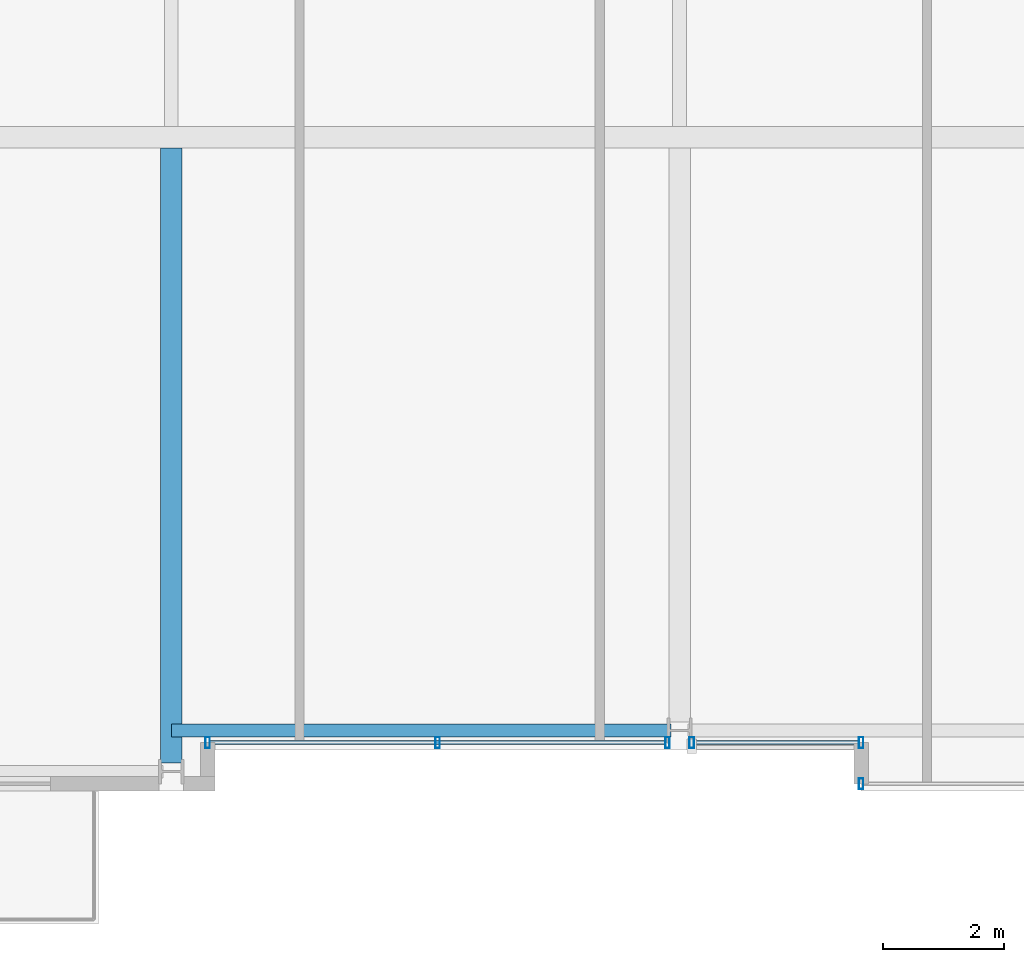
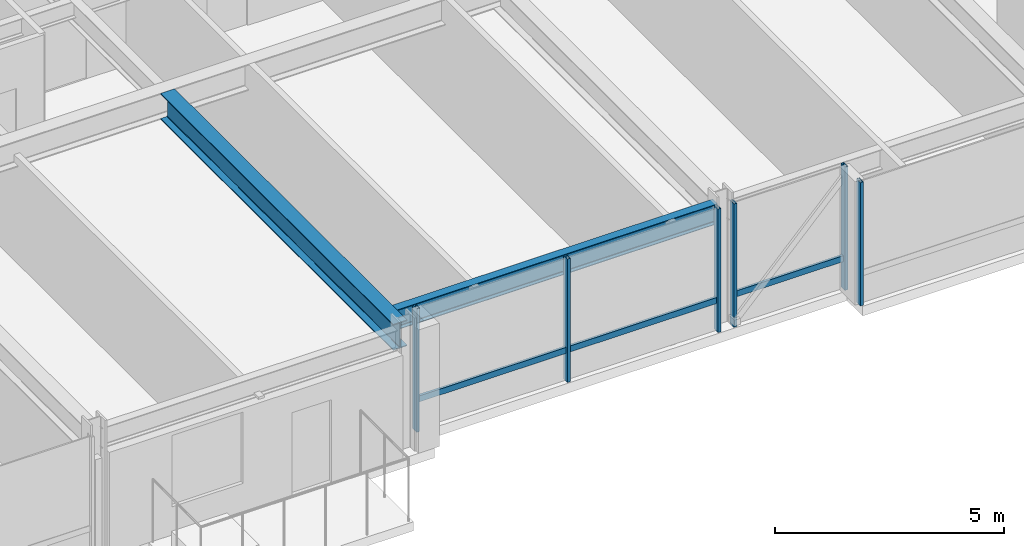
# One storey, part 5 of 33: 8 members, 2 beams, 3 elements without a shape of their own.
"""IFC4 building model written with IfcOpenShell, lengths in metres."""

from ifc_helpers import new_model, si_unit, direction, frame, origin, origin_2d, place, context, subcontext, project, spatial, hollow_rectangle, i_section, extrude, material, layer, layer_set, material_profile, profile_set, type_object, element, aggregate, save


model = new_model("IFC4")

# Units and contexts
model_context = context("Model", 3, precision=1e-05, world=origin(), true_north=direction((0.0, 1.0)))
body_context = subcontext(model_context, "Body", "Model", "MODEL_VIEW")
ifc_project = project(units=[si_unit("LENGTHUNIT", "METRE"), si_unit("AREAUNIT", "SQUARE_METRE"), si_unit("VOLUMEUNIT", "CUBIC_METRE"), si_unit("PLANEANGLEUNIT", "RADIAN"), si_unit("MASSUNIT", "GRAM", prefix="KILO")], contexts=[model_context])

# Site, building, storey
site_placement = place(None, origin())
site = spatial("IfcSite", under=ifc_project, at=site_placement, CompositionType="ELEMENT")
building_placement = place(site_placement, origin())
building = spatial("IfcBuilding", under=site, at=building_placement, Name="Drelvath Grand Hotel", CompositionType="ELEMENT")
storey_placement = place(building_placement, frame((0.0, 0.0, 153.949951171875)))
storey = spatial("IfcBuildingStorey", under=building, at=storey_placement, Name="L39", CompositionType="ELEMENT", Elevation=153.949951171875)

# Curtain wall, member
ifc_material_1 = material(Name="Brushed Pale-Silver Anodised Aluminium Frame", Category="aluminium")
ifc_layer = layer(ifc_material_1, 0.199951171875)
ifc_layer_set = layer_set([ifc_layer], Name="Brushed Pale-Silver Anodised Aluminium Frame")
curtain_wall_type = type_object("IfcCurtainWallType", Name="Stick Curtain Wall CW-04 Brushed Silver Upper-Mid", PredefinedType="NOTDEFINED", material=ifc_layer_set)
curtain_wall_1_placement = place(storey_placement, origin())
curtain_wall_1 = element("IfcCurtainWall", 1, at=curtain_wall_1_placement, inside=storey, type_object=curtain_wall_type, Name="L39 CW-04 Curtain Wall CW04-L39-SM1", PredefinedType="NOTDEFINED")
ifc_material_profile_1 = material_profile(ifc_material_1, hollow_rectangle(XDim=0.06494140625, YDim=0.159912109375, WallThickness=0.00390625, at=origin_2d()), Name="HSS160X65X4")
ifc_profile_set_1 = profile_set([ifc_material_profile_1], Name="Brushed Pale-Silver Anodised Aluminium Frame")
member_type_1 = type_object("IfcMemberType", Name="Curtain Wall Horizontal Transom CW-04 HSS160X65X4", PredefinedType="USERDEFINED", material=ifc_profile_set_1)
member_1_placement = place(storey_placement, frame((-0.239990234375, 0.800048828125, 0.822509765625), z_axis=(-1.0, 0.0, 0.0), x_axis=(0.0, -1.0, 0.0)))
member_1 = element("IfcMember", 2, at=member_1_placement, type_object=member_type_1, Name="CW04-L39-SM1 Sill Transom", ObjectType="TRANSOM", PredefinedType="USERDEFINED", context=body_context, shape_type="SweptSolid", body=[
    extrude(hollow_rectangle(XDim=0.06494140625, YDim=0.159912109375, WallThickness=0.00390625, at=origin_2d()), origin(), (0.0, 0.0, 1.0), 7.52001953125),
])

curtain_wall_2_placement = place(storey_placement, origin())
curtain_wall_2 = element("IfcCurtainWall", 3, at=curtain_wall_2_placement, inside=storey, type_object=curtain_wall_type, Name="L39 CW-04 Curtain Wall CW04-L39-SM2", PredefinedType="NOTDEFINED")
member_2_placement = place(storey_placement, frame((2.9599609375, 0.800048828125, 0.822509765625), z_axis=(-1.0, 0.0, 0.0), x_axis=(0.0, -1.0, 0.0)))
member_2 = element("IfcMember", 4, at=member_2_placement, type_object=member_type_1, Name="CW04-L39-SM2 Sill Transom", ObjectType="TRANSOM", PredefinedType="USERDEFINED", context=body_context, shape_type="SweptSolid", body=[
    extrude(hollow_rectangle(XDim=0.06494140625, YDim=0.159912109375, WallThickness=0.00390625, at=origin_2d()), origin(), (0.0, 0.0, 1.0), 2.719970703125),
])

curtain_wall_3_placement = place(storey_placement, origin())
curtain_wall_3 = element("IfcCurtainWall", 5, at=curtain_wall_3_placement, inside=storey, type_object=curtain_wall_type, Name="L39 CW-04 Curtain Wall CW04-L39-SE1", PredefinedType="NOTDEFINED")
ifc_material_profile_2 = material_profile(ifc_material_1, hollow_rectangle(XDim=0.074951171875, YDim=0.179931640625, WallThickness=0.0048828125, at=origin_2d()), Name="HSS180X75X5")
ifc_profile_set_2 = profile_set([ifc_material_profile_2], Name="Brushed Pale-Silver Anodised Aluminium Frame")
member_type_2 = type_object("IfcMemberType", Name="Curtain Wall Vertical Mullion CW-04 HSS180X75X5", PredefinedType="MULLION", material=ifc_profile_set_2)
member_3_placement = place(storey_placement, frame((3.0, 0.1201171875, 0.0), z_axis=(0.0, 0.0, 1.0), x_axis=(1.0, 0.0, 0.0)))
member_3 = element("IfcMember", 6, at=member_3_placement, type_object=member_type_2, Name="CW04-L39-SE1 Mullion 2", PredefinedType="MULLION", context=body_context, shape_type="SweptSolid", body=[
    extrude(hollow_rectangle(XDim=0.074951171875, YDim=0.179931640625, WallThickness=0.0048828125, at=origin_2d()), origin(), (0.0, 0.0, 1.0), 3.2900390625),
])
aggregate(curtain_wall_3, [member_3])

# Member
member_4_placement = place(storey_placement, frame((-0.2001953125, 0.800048828125, 0.0), z_axis=(0.0, 0.0, 1.0), x_axis=(1.0, 0.0, 0.0)))
member_4 = element("IfcMember", 7, at=member_4_placement, type_object=member_type_2, Name="CW04-L39-SM1 Mullion 1", PredefinedType="MULLION", context=body_context, shape_type="SweptSolid", body=[
    extrude(hollow_rectangle(XDim=0.074951171875, YDim=0.179931640625, WallThickness=0.0048828125, at=origin_2d()), origin(), (0.0, 0.0, 1.0), 3.2900390625),
])

member_5_placement = place(storey_placement, frame((-4.0, 0.800048828125, 0.0), z_axis=(0.0, 0.0, 1.0), x_axis=(1.0, 0.0, 0.0)))
member_5 = element("IfcMember", 8, at=member_5_placement, type_object=member_type_2, Name="CW04-L39-SM1 Mullion 2", PredefinedType="MULLION", context=body_context, shape_type="SweptSolid", body=[
    extrude(hollow_rectangle(XDim=0.074951171875, YDim=0.179931640625, WallThickness=0.0048828125, at=origin_2d()), origin(), (0.0, 0.0, 1.0), 3.2900390625),
])

member_6_placement = place(storey_placement, frame((-7.800048828125, 0.800048828125, 0.0), z_axis=(0.0, 0.0, 1.0), x_axis=(1.0, 0.0, 0.0)))
member_6 = element("IfcMember", 9, at=member_6_placement, type_object=member_type_2, Name="CW04-L39-SM1 Mullion 3", PredefinedType="MULLION", context=body_context, shape_type="SweptSolid", body=[
    extrude(hollow_rectangle(XDim=0.074951171875, YDim=0.179931640625, WallThickness=0.0048828125, at=origin_2d()), origin(), (0.0, 0.0, 1.0), 3.2900390625),
])

aggregate(curtain_wall_1, [member_4, member_5, member_6, member_1])

member_7_placement = place(storey_placement, frame((3.0, 0.800048828125, 0.0), z_axis=(0.0, 0.0, 1.0), x_axis=(1.0, 0.0, 0.0)))
member_7 = element("IfcMember", 10, at=member_7_placement, type_object=member_type_2, Name="CW04-L39-SM2 Mullion 1", PredefinedType="MULLION", context=body_context, shape_type="SweptSolid", body=[
    extrude(hollow_rectangle(XDim=0.074951171875, YDim=0.179931640625, WallThickness=0.0048828125, at=origin_2d()), origin(), (0.0, 0.0, 1.0), 3.2900390625),
])

member_8_placement = place(storey_placement, frame((0.2001953125, 0.800048828125, 0.0), z_axis=(0.0, 0.0, 1.0), x_axis=(1.0, 0.0, 0.0)))
member_8 = element("IfcMember", 11, at=member_8_placement, type_object=member_type_2, Name="CW04-L39-SM2 Mullion 2", PredefinedType="MULLION", context=body_context, shape_type="SweptSolid", body=[
    extrude(hollow_rectangle(XDim=0.074951171875, YDim=0.179931640625, WallThickness=0.0048828125, at=origin_2d()), origin(), (0.0, 0.0, 1.0), 3.2900390625),
])

aggregate(curtain_wall_2, [member_7, member_8, member_2])

# Beams
ifc_material_2 = material(Name="Steel ASTM A992 Gr 50", Category="steel")
ifc_material_profile_3 = material_profile(ifc_material_2, i_section(OverallWidth=0.210205078125, OverallDepth=0.53662109375, WebThickness=0.010986328125, FlangeThickness=0.017333984375, FilletRadius=0.01806640625, at=origin_2d()), Name="W21X68")
ifc_profile_set_3 = profile_set([ifc_material_profile_3], Name="Steel ASTM A992 Gr 50")
beam_type_1 = type_object("IfcBeamType", Name="Perimeter Spandrel Beam W21X68", PredefinedType="SPANDREL", material=ifc_profile_set_3)
beam_1_placement = place(storey_placement, frame((-8.39990234375, 1.0, 3.021728515625), z_axis=(1.0, 0.0, 0.0), x_axis=(0.0, 1.0, 0.0)))
element("IfcBeam", 12, at=beam_1_placement, inside=storey, type_object=beam_type_1, Name="L39 Spandrel South Mid W", PredefinedType="SPANDREL", context=body_context, shape_type="SweptSolid", body=[
    extrude(i_section(OverallWidth=0.210205078125, OverallDepth=0.53662109375, WebThickness=0.010986328125, FlangeThickness=0.017333984375, FilletRadius=0.01806640625, at=origin_2d()), origin(), (0.0, 0.0, 1.0), 8.260009765625),
])
ifc_material_profile_4 = material_profile(ifc_material_2, i_section(OverallWidth=0.354736328125, OverallDepth=0.695556640625, WebThickness=0.015380859375, FlangeThickness=0.025146484375, FilletRadius=0.02392578125, at=origin_2d()), Name="W27X146")
ifc_profile_set_4 = profile_set([ifc_material_profile_4], Name="Steel ASTM A992 Gr 50")
beam_type_2 = type_object("IfcBeamType", Name="Primary Floor Girder W27X146", PredefinedType="BEAM", material=ifc_profile_set_4)
beam_2_placement = place(storey_placement, frame((-8.39990234375, 0.4599609375, 2.9423828125), z_axis=(0.0, 1.0, 0.0), x_axis=(-1.0, 0.0, 0.0)))
element("IfcBeam", 13, at=beam_2_placement, inside=storey, type_object=beam_type_2, Name="L39 South Wing Girder 4", PredefinedType="BEAM", context=body_context, shape_type="SweptSolid", body=[
    extrude(i_section(OverallWidth=0.354736328125, OverallDepth=0.695556640625, WebThickness=0.015380859375, FlangeThickness=0.025146484375, FilletRadius=0.02392578125, at=origin_2d()), origin(), (0.0, 0.0, 1.0), 10.16259765625),
])

save(model, "model.ifc")
